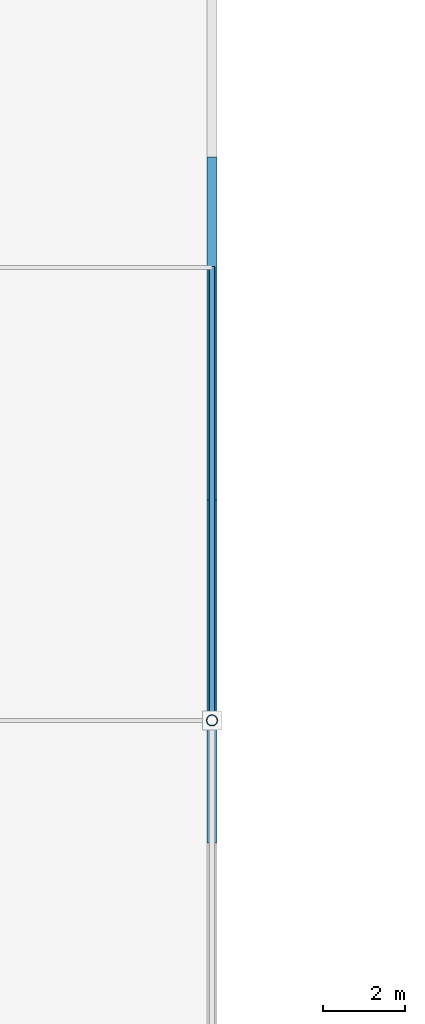
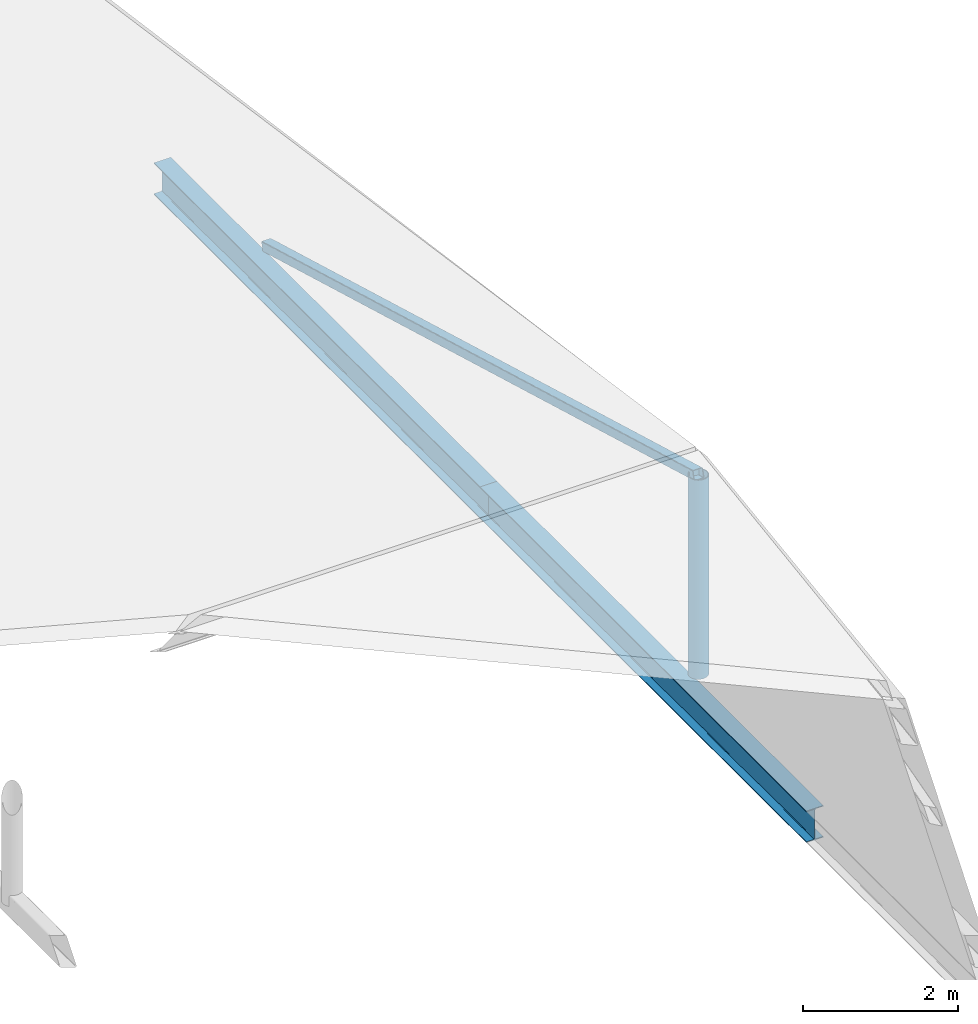
# One storey, part 91 of 135: 2 beams, 2 members.
"""IFC4 building model written with IfcOpenShell, lengths in metres."""

from ifc_helpers import new_model, si_unit, direction, frame, origin, origin_2d, place, context, subcontext, project, spatial, hollow_rectangle, hollow_circle, i_section, extrude, material, material_profile, profile_set, type_object, element, save


model = new_model("IFC4")

# Units and contexts
model_context = context("Model", 3, precision=1e-05, world=origin(), true_north=direction((0.0, 1.0)))
body_context = subcontext(model_context, "Body", "Model", "MODEL_VIEW")
ifc_project = project(units=[si_unit("LENGTHUNIT", "METRE"), si_unit("AREAUNIT", "SQUARE_METRE"), si_unit("VOLUMEUNIT", "CUBIC_METRE"), si_unit("PLANEANGLEUNIT", "RADIAN"), si_unit("MASSUNIT", "GRAM", prefix="KILO")], contexts=[model_context])

# Site, building, storey
site_placement = place(None, origin())
site = spatial("IfcSite", under=ifc_project, at=site_placement, CompositionType="ELEMENT")
building_placement = place(site_placement, origin())
building = spatial("IfcBuilding", under=site, at=building_placement, Name="Brelvane Convention Centre", CompositionType="ELEMENT")
storey_placement = place(building_placement, frame((0.0, 0.0, 15.0)))
storey = spatial("IfcBuildingStorey", under=building, at=storey_placement, Name="L03", CompositionType="ELEMENT", Elevation=15.0)

# Member
ifc_material_1 = material(Name="Steel E350 (350 MPa)", Category="steel")
ifc_material_profile_1 = material_profile(ifc_material_1, hollow_rectangle(XDim=0.14990234375, YDim=0.14990234375, WallThickness=0.008056640625, InnerFilletRadius=0.008056640625, OuterFilletRadius=0.01611328125, at=origin_2d()), Name="SHS 150x150x8.0")
ifc_profile_set_1 = profile_set([ifc_material_profile_1], Name="Steel E350 (350 MPa)")
member_type_1 = type_object("IfcMemberType", Name="Steel Brace TR-WB1 (SHS 150x150x8.0)", PredefinedType="BRACE", material=ifc_profile_set_1)
member_1_placement = place(storey_placement, frame((224.39990234375, 132.89990234375, -0.35009765625), z_axis=(0.0, -0.962463289152, 0.271411895529), x_axis=(1.0, 0.0, 0.0)))
element("IfcMember", 1, at=member_1_placement, inside=storey, type_object=member_type_1, Name="Ballroom Roof Truss Web 6-N", PredefinedType="BRACE", context=body_context, shape_type="SweptSolid", body=[
    extrude(hollow_rectangle(XDim=0.14990234375, YDim=0.14990234375, WallThickness=0.008056640625, InnerFilletRadius=0.008056640625, OuterFilletRadius=0.01611328125, at=origin_2d()), origin(), (0.0, 0.0, 1.0), 11.53271484375),
])

# Beams
ifc_material_2 = material(Name="Steel E350 (350 MPa)", Category="steel")
ifc_material_profile_2 = material_profile(ifc_material_2, i_section(OverallWidth=0.25, OverallDepth=0.5, WebThickness=0.010009765625, FlangeThickness=0.0146484375, FilletRadius=0.01611328125, at=origin_2d()), Name="ISWB 500")
ifc_profile_set_2 = profile_set([ifc_material_profile_2], Name="Steel E350 (350 MPa)")
beam_type = type_object("IfcBeamType", Name="Steel Spandrel SP-ST1 (ISWB 500)", PredefinedType="SPANDREL", material=ifc_profile_set_2)
beam_1_placement = place(storey_placement, frame((224.39990234375, 118.800048828125, -0.89990234375), z_axis=(0.0, 1.0, 0.0), x_axis=(-1.0, 0.0, 0.0)))
element("IfcBeam", 2, at=beam_1_placement, inside=storey, type_object=beam_type, Name="Ballroom Gable Tie Girder E-3", PredefinedType="SPANDREL", context=body_context, shape_type="SweptSolid", body=[
    extrude(i_section(OverallWidth=0.25, OverallDepth=0.5, WebThickness=0.010009765625, FlangeThickness=0.0146484375, FilletRadius=0.01611328125, at=origin_2d()), origin(), (0.0, 0.0, 1.0), 8.39990234375),
])
beam_2_placement = place(storey_placement, frame((224.39990234375, 127.199951171875, -0.89990234375), z_axis=(0.0, 1.0, 0.0), x_axis=(-1.0, 0.0, 0.0)))
element("IfcBeam", 3, at=beam_2_placement, inside=storey, type_object=beam_type, Name="Ballroom Gable Tie Girder E-4", PredefinedType="SPANDREL", context=body_context, shape_type="SweptSolid", body=[
    extrude(i_section(OverallWidth=0.25, OverallDepth=0.5, WebThickness=0.010009765625, FlangeThickness=0.0146484375, FilletRadius=0.01611328125, at=origin_2d()), origin(), (0.0, 0.0, 1.0), 8.400146484375),
])

# Member
ifc_material_3 = material(Name="Steel E350 (350 MPa)", Category="steel")
ifc_material_profile_3 = material_profile(ifc_material_3, hollow_circle(Radius=0.136474609375, WallThickness=0.012451171875, at=origin_2d()), Name="CHS 273.0x12.5")
ifc_profile_set_3 = profile_set([ifc_material_profile_3], Name="Steel E350 (350 MPa)")
member_type_2 = type_object("IfcMemberType", Name="Steel Strut SF-VT1 (CHS 273.0x12.5)", PredefinedType="STRUT", material=ifc_profile_set_3)
member_2_placement = place(storey_placement, frame((224.39990234375, 121.800048828125, -0.35009765625), z_axis=(0.0, 0.0, 1.0), x_axis=(1.0, 0.0, 0.0)))
element("IfcMember", 4, at=member_2_placement, inside=storey, type_object=member_type_2, Name="Ballroom Roof Truss Kingpost 6", PredefinedType="STRUT", context=body_context, shape_type="SweptSolid", body=[
    extrude(hollow_circle(Radius=0.136474609375, WallThickness=0.012451171875, at=origin_2d()), origin(), (0.0, 0.0, 1.0), 3.130126953125),
])

save(model, "model.ifc")
